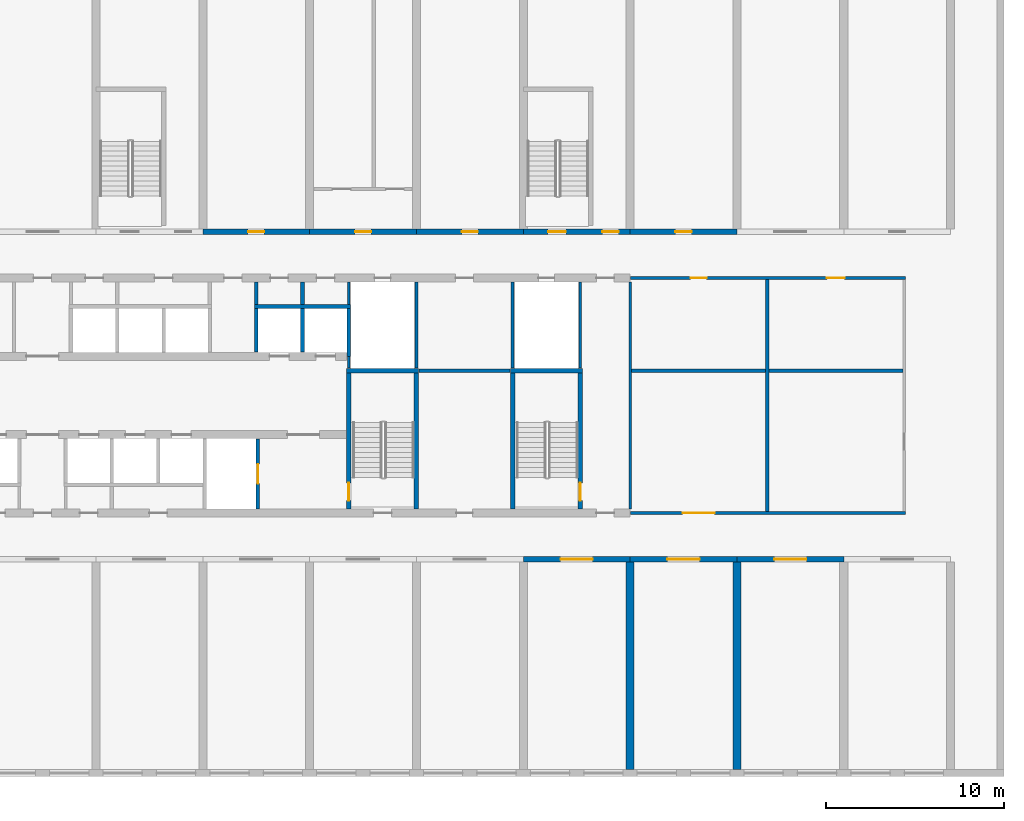
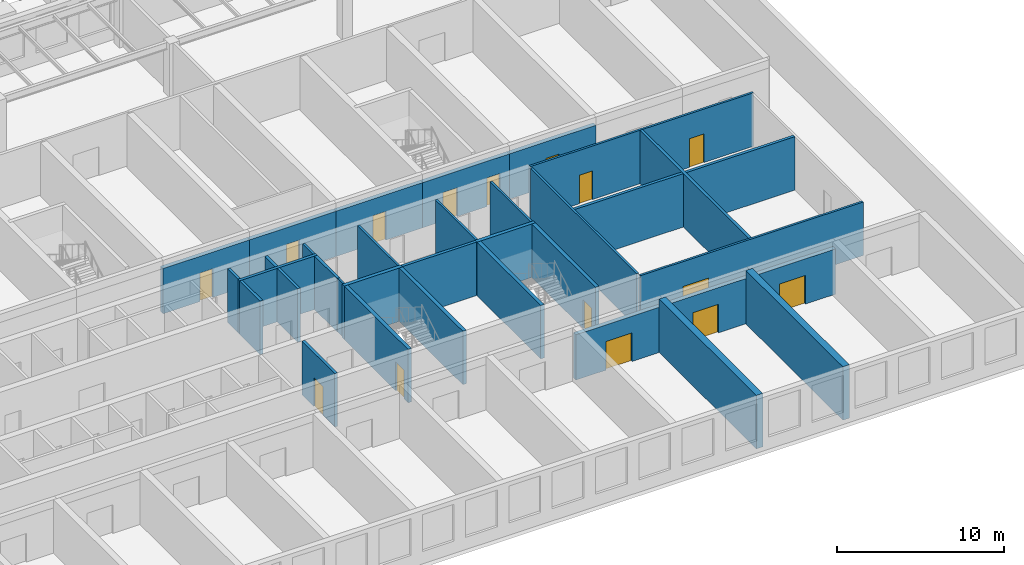
# One storey, part 10 of 16: 34 walls, 15 doors, 15 openings.
"""IFC4 building model written with IfcOpenShell, lengths in metres."""

from ifc_helpers import new_model, si_unit, direction, frame, frame_2d, origin, place, context, subcontext, project, spatial, rectangle, extrude, material, layer, layer_set, type_object, element, fill, save


model = new_model("IFC4")

# Units and contexts
model_context = context("Model", 3, precision=1e-05, world=origin(), true_north=direction((0.0, 1.0)))
body_context = subcontext(model_context, "Body", "Model", "MODEL_VIEW")
ifc_project = project(units=[si_unit("LENGTHUNIT", "METRE"), si_unit("AREAUNIT", "SQUARE_METRE"), si_unit("VOLUMEUNIT", "CUBIC_METRE"), si_unit("PLANEANGLEUNIT", "RADIAN"), si_unit("MASSUNIT", "GRAM", prefix="KILO")], contexts=[model_context])

# Site, building, storey
site_placement = place(None, origin())
site = spatial("IfcSite", under=ifc_project, at=site_placement, CompositionType="ELEMENT")
building_placement = place(site_placement, origin())
building = spatial("IfcBuilding", under=site, at=building_placement, Name="Poui Terraces", CompositionType="ELEMENT")
storey_placement = place(building_placement, frame((0.0, 0.0, 15.0)))
storey = spatial("IfcBuildingStorey", under=building, at=storey_placement, Name="L03", CompositionType="ELEMENT", Elevation=15.0)

# Walls
ifc_material_1 = material(Name="Fire-rated masonry wall", Category="masonry")
ifc_layer_1 = layer(ifc_material_1, 0.199951171875)
ifc_layer_set_1 = layer_set([ifc_layer_1], Name="Fire-rated masonry wall")
wall_type_1 = type_object("IfcWallType", Name="COMPARTMENT WALL 200", PredefinedType="PARTITIONING", material=ifc_layer_set_1)
wall_1_placement = place(storey_placement, frame((72.135009765625, 22.60009765625, 0.0), z_axis=(0.0, 0.0, 1.0), x_axis=(1.0, 0.0, 0.0)))
element("IfcWall", 1, at=wall_1_placement, inside=storey, type_object=wall_type_1, Name="COMPARTMENT WALL 200", PredefinedType="PARTITIONING", context=body_context, shape_type="SweptSolid", body=[
    extrude(rectangle(XDim=5.1298828125, YDim=0.199951171875, at=frame_2d((2.56494140625, 0.0))), origin(), (0.0, 0.0, 1.0), 3.919921875),
])
wall_2_placement = place(storey_placement, frame((84.074951171875, 22.60009765625, 0.0), z_axis=(0.0, 0.0, 1.0), x_axis=(1.0, 0.0, 0.0)))
element("IfcWall", 2, at=wall_2_placement, inside=storey, type_object=wall_type_1, Name="COMPARTMENT WALL 200", PredefinedType="PARTITIONING", context=body_context, shape_type="SweptSolid", body=[
    extrude(rectangle(XDim=15.25, YDim=0.199951171875, at=frame_2d((7.625, 0.0))), origin(), (0.0, 0.0, 1.0), 3.919921875),
])
for number, where, z_axis, x_axis, name in (
    (3, (63.0, 26.300048828125, 0.0), (0.0, 0.0, 1.0), (0.0, 1.0, 0.0), "COMPARTMENT WALL 200"),
    (4, (65.60009765625, 26.300048828125, 0.0), (0.0, 0.0, 1.0), (0.0, 1.0, 0.0), "COMPARTMENT WALL 200"),
):
    element("IfcWall", number, at=place(storey_placement, frame(where, z_axis=z_axis, x_axis=x_axis)), inside=storey, type_object=wall_type_1, Name=name, PredefinedType="PARTITIONING", context=body_context, shape_type="SweptSolid", body=[
        extrude(rectangle(XDim=1.264892578125, YDim=0.199951171875, at=frame_2d((0.63232421875, 0.0))), origin(), (0.0, 0.0, 1.0), 3.919921875),
    ])
wall_3_placement = place(storey_placement, frame((91.699951171875, 14.675048828125, 0.0), z_axis=(0.0, 0.0, 1.0), x_axis=(0.0, 1.0, 0.0)))
element("IfcWall", 5, at=wall_3_placement, inside=storey, type_object=wall_type_1, Name="COMPARTMENT WALL 200", PredefinedType="PARTITIONING", context=body_context, shape_type="SweptSolid", body=[
    extrude(rectangle(XDim=13.050048828125, YDim=0.199951171875, at=frame_2d((6.52490234375, 0.0))), origin(), (0.0, 0.0, 1.0), 3.919921875),
])

# Wall, opening, door
ifc_material_2 = material(Name="Fire-rated plasterboard wall")
ifc_layer_2 = layer(ifc_material_2, 0.14990234375)
ifc_layer_set_2 = layer_set([ifc_layer_2], Name="Fire-rated plasterboard wall")
wall_type_2 = type_object("IfcWallType", Name="CORRIDOR WALL 150", PredefinedType="PARTITIONING", material=ifc_layer_set_2)
wall_4_placement = place(storey_placement, frame((84.010009765625, 14.60009765625, 0.0), z_axis=(0.0, 0.0, 1.0), x_axis=(1.0, 0.0, 0.0)))
wall_4 = element("IfcWall", 6, at=wall_4_placement, inside=storey, type_object=wall_type_2, Name="CORRIDOR WALL 150", PredefinedType="PARTITIONING", context=body_context, shape_type="SweptSolid", body=[
    extrude(rectangle(XDim=15.465087890625, YDim=0.14990234375, at=frame_2d((7.732421875, 0.0))), origin(), (0.0, 0.0, 1.0), 3.919921875),
])
opening_1_placement = place(wall_4_placement, frame((2.93994140625, 0.0, 0.0)))
opening_1 = element("IfcOpeningElement", 7, at=opening_1_placement, cuts=wall_4, Name="Opening DD180", PredefinedType="OPENING", context=body_context, shape_type="SweptSolid", body=[
    extrude(rectangle(XDim=1.800048828125, YDim=2.10009765625, at=frame_2d((0.89990234375, 1.050048828125))), frame((0.0, 0.0849609375, 0.0), z_axis=(0.0, -1.0, 0.0), x_axis=(1.0, 0.0, 0.0)), (0.0, 0.0, 1.0), 0.169921875),
])
ifc_material_3 = material(Name="Steel fire door", Category="steel")
door_type_1 = type_object("IfcDoorType", Name="DOUBLE INTERNAL DOOR 1800 X 2100", OperationType="DOUBLE_DOOR_SINGLE_SWING", PredefinedType="DOOR", material=ifc_material_3)
door_1_placement = place(opening_1_placement, frame((1.800048828125, 0.0, 0.0), z_axis=(0.0, 0.0, 1.0), x_axis=(-1.0, 0.0, 0.0)))
door_1 = element("IfcDoor", 8, at=door_1_placement, inside=storey, type_object=door_type_1, Name="DOUBLE INTERNAL DOOR 070", OperationType="DOUBLE_DOOR_SINGLE_SWING", OverallHeight=2.10009765625, OverallWidth=1.800048828125, PredefinedType="DOOR", context=body_context, shape_type="SweptSolid", body=[
    extrude(rectangle(XDim=1.800048828125, YDim=2.10009765625, at=frame_2d((0.89990234375, 1.050048828125))), frame((0.0, 0.02490234375, 0.0), z_axis=(0.0, -1.0, 0.0), x_axis=(1.0, 0.0, 0.0)), (0.0, 0.0, 1.0), 0.050048828125),
])
fill(opening_1, door_1)

# Wall, openings, doors
wall_5_placement = place(storey_placement, frame((84.010009765625, 27.800048828125, 0.0), z_axis=(0.0, 0.0, 1.0), x_axis=(1.0, 0.0, 0.0)))
wall_5 = element("IfcWall", 9, at=wall_5_placement, inside=storey, type_object=wall_type_2, Name="CORRIDOR WALL 150", PredefinedType="PARTITIONING", context=body_context, shape_type="SweptSolid", body=[
    extrude(rectangle(XDim=15.465087890625, YDim=0.14990234375, at=frame_2d((7.732421875, 0.0))), origin(), (0.0, 0.0, 1.0), 3.919921875),
])
opening_2_placement = place(wall_5_placement, frame((3.389892578125, 0.0, 0.0)))
opening_2 = element("IfcOpeningElement", 10, at=opening_2_placement, cuts=wall_5, Name="Opening D90", PredefinedType="OPENING", context=body_context, shape_type="SweptSolid", body=[
    extrude(rectangle(XDim=0.89990234375, YDim=2.10009765625, at=frame_2d((0.449951171875, 1.050048828125))), frame((0.0, 0.0849609375, 0.0), z_axis=(0.0, -1.0, 0.0), x_axis=(1.0, 0.0, 0.0)), (0.0, 0.0, 1.0), 0.169921875),
])
opening_3_placement = place(wall_5_placement, frame((11.0400390625, 0.0, 0.0)))
opening_3 = element("IfcOpeningElement", 11, at=opening_3_placement, cuts=wall_5, Name="Opening D100", PredefinedType="OPENING", context=body_context, shape_type="SweptSolid", body=[
    extrude(rectangle(XDim=1.0, YDim=2.10009765625, at=frame_2d((0.5, 1.050048828125))), frame((0.0, 0.0849609375, 0.0), z_axis=(0.0, -1.0, 0.0), x_axis=(1.0, 0.0, 0.0)), (0.0, 0.0, 1.0), 0.169921875),
])
ifc_material_4 = material(Name="Solid core timber door", Category="wood")
door_type_2 = type_object("IfcDoorType", Name="ACCESSIBLE INTERNAL DOOR 1000 X 2100", OperationType="NOTDEFINED", PredefinedType="DOOR", material=ifc_material_4)
door_2_placement = place(opening_3_placement, origin())
door_2 = element("IfcDoor", 12, at=door_2_placement, inside=storey, type_object=door_type_2, Name="ACCESSIBLE INTERNAL DOOR 041", OperationType="SINGLE_SWING_RIGHT", OverallHeight=2.10009765625, OverallWidth=1.0, PredefinedType="DOOR", context=body_context, shape_type="SweptSolid", body=[
    extrude(rectangle(XDim=1.0, YDim=2.10009765625, at=frame_2d((0.5, 1.050048828125))), frame((0.0, 0.02490234375, 0.0), z_axis=(0.0, -1.0, 0.0), x_axis=(1.0, 0.0, 0.0)), (0.0, 0.0, 1.0), 0.050048828125),
])
fill(opening_3, door_2)
door_type_3 = type_object("IfcDoorType", Name="INTERNAL DOOR 900 X 2100", OperationType="NOTDEFINED", PredefinedType="DOOR", material=ifc_material_4)
door_3_placement = place(opening_2_placement, origin())
door_3 = element("IfcDoor", 13, at=door_3_placement, inside=storey, type_object=door_type_3, Name="INTERNAL DOOR 039", OperationType="SINGLE_SWING_LEFT", OverallHeight=2.10009765625, OverallWidth=0.89990234375, PredefinedType="DOOR", context=body_context, shape_type="SweptSolid", body=[
    extrude(rectangle(XDim=0.89990234375, YDim=2.10009765625, at=frame_2d((0.449951171875, 1.050048828125))), frame((0.0, 0.02490234375, 0.0), z_axis=(0.0, -1.0, 0.0), x_axis=(1.0, 0.0, 0.0)), (0.0, 0.0, 1.0), 0.050048828125),
])
fill(opening_2, door_3)

# Wall
wall_6_placement = place(storey_placement, frame((84.0, 14.8349609375, 0.0), z_axis=(0.0, 0.0, 1.0), x_axis=(0.0, 1.0, 0.0)))
element("IfcWall", 14, at=wall_6_placement, inside=storey, type_object=wall_type_2, Name="CORRIDOR WALL 150", PredefinedType="PARTITIONING", context=body_context, shape_type="SweptSolid", body=[
    extrude(rectangle(XDim=12.72998046875, YDim=0.14990234375, at=frame_2d((6.364990234375, 0.0))), origin(), (0.0, 0.0, 1.0), 3.919921875),
])

# Wall, opening, door
ifc_material_5 = material(Name="Concrete 80 MPa", Category="concrete")
ifc_layer_3 = layer(ifc_material_5, 0.300048828125)
ifc_layer_set_3 = layer_set([ifc_layer_3], Name="Concrete 80 MPa")
wall_type_3 = type_object("IfcWallType", Name="CORRIDOR WALL 300 80MPa", PredefinedType="SHEAR", material=ifc_layer_set_3)
wall_7_placement = place(storey_placement, frame((78.0, 12.0, 0.0), z_axis=(0.0, 0.0, 1.0), x_axis=(1.0, 0.0, 0.0)))
wall_7 = element("IfcWall", 15, at=wall_7_placement, inside=storey, type_object=wall_type_3, Name="CORRIDOR WALL LINE B BAY 14", PredefinedType="SHEAR", context=body_context, shape_type="SweptSolid", body=[
    extrude(rectangle(XDim=6.0, YDim=0.300048828125, at=frame_2d((3.0, 0.0))), origin(), (0.0, 0.0, 1.0), 3.320068359375),
])
opening_4_placement = place(wall_7_placement, frame((2.10009765625, 0.0, 0.0)))
opening_4 = element("IfcOpeningElement", 16, at=opening_4_placement, cuts=wall_7, Name="Opening DD180", PredefinedType="OPENING", context=body_context, shape_type="SweptSolid", body=[
    extrude(rectangle(XDim=1.800048828125, YDim=2.10009765625, at=frame_2d((0.89990234375, 1.050048828125))), frame((0.0, 0.16015625, 0.0), z_axis=(0.0, -1.0, 0.0), x_axis=(1.0, 0.0, 0.0)), (0.0, 0.0, 1.0), 0.320068359375),
])
door_4_placement = place(opening_4_placement, origin())
door_4 = element("IfcDoor", 17, at=door_4_placement, inside=storey, type_object=door_type_1, Name="DOUBLE INTERNAL DOOR 067", OperationType="DOUBLE_DOOR_SINGLE_SWING", OverallHeight=2.10009765625, OverallWidth=1.800048828125, PredefinedType="DOOR", context=body_context, shape_type="SweptSolid", body=[
    extrude(rectangle(XDim=1.800048828125, YDim=2.10009765625, at=frame_2d((0.89990234375, 1.050048828125))), frame((0.0, 0.02490234375, 0.0), z_axis=(0.0, -1.0, 0.0), x_axis=(1.0, 0.0, 0.0)), (0.0, 0.0, 1.0), 0.050048828125),
])
fill(opening_4, door_4)

wall_8_placement = place(storey_placement, frame((84.0, 12.0, 0.0), z_axis=(0.0, 0.0, 1.0), x_axis=(1.0, 0.0, 0.0)))
wall_8 = element("IfcWall", 18, at=wall_8_placement, inside=storey, type_object=wall_type_3, Name="CORRIDOR WALL LINE B BAY 15", PredefinedType="SHEAR", context=body_context, shape_type="SweptSolid", body=[
    extrude(rectangle(XDim=6.0, YDim=0.300048828125, at=frame_2d((3.0, 0.0))), origin(), (0.0, 0.0, 1.0), 3.320068359375),
])
opening_5_placement = place(wall_8_placement, frame((2.10009765625, 0.0, 0.0)))
opening_5 = element("IfcOpeningElement", 19, at=opening_5_placement, cuts=wall_8, Name="Opening DD180", PredefinedType="OPENING", context=body_context, shape_type="SweptSolid", body=[
    extrude(rectangle(XDim=1.800048828125, YDim=2.10009765625, at=frame_2d((0.89990234375, 1.050048828125))), frame((0.0, 0.16015625, 0.0), z_axis=(0.0, -1.0, 0.0), x_axis=(1.0, 0.0, 0.0)), (0.0, 0.0, 1.0), 0.320068359375),
])
door_5_placement = place(opening_5_placement, origin())
door_5 = element("IfcDoor", 20, at=door_5_placement, inside=storey, type_object=door_type_1, Name="DOUBLE INTERNAL DOOR 069", OperationType="DOUBLE_DOOR_SINGLE_SWING", OverallHeight=2.10009765625, OverallWidth=1.800048828125, PredefinedType="DOOR", context=body_context, shape_type="SweptSolid", body=[
    extrude(rectangle(XDim=1.800048828125, YDim=2.10009765625, at=frame_2d((0.89990234375, 1.050048828125))), frame((0.0, 0.02490234375, 0.0), z_axis=(0.0, -1.0, 0.0), x_axis=(1.0, 0.0, 0.0)), (0.0, 0.0, 1.0), 0.050048828125),
])
fill(opening_5, door_5)

wall_9_placement = place(storey_placement, frame((90.0, 12.0, 0.0), z_axis=(0.0, 0.0, 1.0), x_axis=(1.0, 0.0, 0.0)))
wall_9 = element("IfcWall", 21, at=wall_9_placement, inside=storey, type_object=wall_type_3, Name="CORRIDOR WALL LINE B BAY 16", PredefinedType="SHEAR", context=body_context, shape_type="SweptSolid", body=[
    extrude(rectangle(XDim=6.0, YDim=0.300048828125, at=frame_2d((3.0, 0.0))), origin(), (0.0, 0.0, 1.0), 3.320068359375),
])
opening_6_placement = place(wall_9_placement, frame((2.10009765625, 0.0, 0.0)))
opening_6 = element("IfcOpeningElement", 22, at=opening_6_placement, cuts=wall_9, Name="Opening DD180", PredefinedType="OPENING", context=body_context, shape_type="SweptSolid", body=[
    extrude(rectangle(XDim=1.800048828125, YDim=2.10009765625, at=frame_2d((0.89990234375, 1.050048828125))), frame((0.0, 0.16015625, 0.0), z_axis=(0.0, -1.0, 0.0), x_axis=(1.0, 0.0, 0.0)), (0.0, 0.0, 1.0), 0.320068359375),
])
door_6_placement = place(opening_6_placement, origin())
door_6 = element("IfcDoor", 23, at=door_6_placement, inside=storey, type_object=door_type_1, Name="DOUBLE INTERNAL DOOR 071", OperationType="DOUBLE_DOOR_SINGLE_SWING", OverallHeight=2.10009765625, OverallWidth=1.800048828125, PredefinedType="DOOR", context=body_context, shape_type="SweptSolid", body=[
    extrude(rectangle(XDim=1.800048828125, YDim=2.10009765625, at=frame_2d((0.89990234375, 1.050048828125))), frame((0.0, 0.02490234375, 0.0), z_axis=(0.0, -1.0, 0.0), x_axis=(1.0, 0.0, 0.0)), (0.0, 0.0, 1.0), 0.050048828125),
])
fill(opening_6, door_6)

wall_10_placement = place(storey_placement, frame((60.0, 30.39990234375, 0.0), z_axis=(0.0, 0.0, 1.0), x_axis=(1.0, 0.0, 0.0)))
wall_10 = element("IfcWall", 24, at=wall_10_placement, inside=storey, type_object=wall_type_3, Name="CORRIDOR WALL LINE E BAY 11", PredefinedType="SHEAR", context=body_context, shape_type="SweptSolid", body=[
    extrude(rectangle(XDim=6.0, YDim=0.300048828125, at=frame_2d((3.0, 0.0))), origin(), (0.0, 0.0, 1.0), 3.320068359375),
])
opening_7_placement = place(wall_10_placement, frame((2.550048828125, 0.0, 0.0)))
opening_7 = element("IfcOpeningElement", 25, at=opening_7_placement, cuts=wall_10, Name="Opening D90", PredefinedType="OPENING", context=body_context, shape_type="SweptSolid", body=[
    extrude(rectangle(XDim=0.89990234375, YDim=2.10009765625, at=frame_2d((0.449951171875, 1.050048828125))), frame((0.0, 0.16015625, 0.0), z_axis=(0.0, -1.0, 0.0), x_axis=(1.0, 0.0, 0.0)), (0.0, 0.0, 1.0), 0.320068359375),
])
door_7_placement = place(opening_7_placement, frame((0.89990234375, 0.0, 0.0), z_axis=(0.0, 0.0, 1.0), x_axis=(-1.0, 0.0, 0.0)))
door_7 = element("IfcDoor", 26, at=door_7_placement, inside=storey, type_object=door_type_3, Name="INTERNAL DOOR 027", OperationType="SINGLE_SWING_RIGHT", OverallHeight=2.10009765625, OverallWidth=0.89990234375, PredefinedType="DOOR", context=body_context, shape_type="SweptSolid", body=[
    extrude(rectangle(XDim=0.89990234375, YDim=2.10009765625, at=frame_2d((0.449951171875, 1.050048828125))), frame((0.0, 0.02490234375, 0.0), z_axis=(0.0, -1.0, 0.0), x_axis=(1.0, 0.0, 0.0)), (0.0, 0.0, 1.0), 0.050048828125),
])
fill(opening_7, door_7)

wall_11_placement = place(storey_placement, frame((66.0, 30.39990234375, 0.0), z_axis=(0.0, 0.0, 1.0), x_axis=(1.0, 0.0, 0.0)))
wall_11 = element("IfcWall", 27, at=wall_11_placement, inside=storey, type_object=wall_type_3, Name="CORRIDOR WALL LINE E BAY 12", PredefinedType="SHEAR", context=body_context, shape_type="SweptSolid", body=[
    extrude(rectangle(XDim=6.0, YDim=0.300048828125, at=frame_2d((3.0, 0.0))), origin(), (0.0, 0.0, 1.0), 3.320068359375),
])
opening_8_placement = place(wall_11_placement, frame((2.550048828125, 0.0, 0.0)))
opening_8 = element("IfcOpeningElement", 28, at=opening_8_placement, cuts=wall_11, Name="Opening D90", PredefinedType="OPENING", context=body_context, shape_type="SweptSolid", body=[
    extrude(rectangle(XDim=0.89990234375, YDim=2.10009765625, at=frame_2d((0.449951171875, 1.050048828125))), frame((0.0, 0.16015625, 0.0), z_axis=(0.0, -1.0, 0.0), x_axis=(1.0, 0.0, 0.0)), (0.0, 0.0, 1.0), 0.320068359375),
])
door_8_placement = place(opening_8_placement, frame((0.89990234375, 0.0, 0.0), z_axis=(0.0, 0.0, 1.0), x_axis=(-1.0, 0.0, 0.0)))
door_8 = element("IfcDoor", 29, at=door_8_placement, inside=storey, type_object=door_type_3, Name="INTERNAL DOOR 030", OperationType="SINGLE_SWING_LEFT", OverallHeight=2.10009765625, OverallWidth=0.89990234375, PredefinedType="DOOR", context=body_context, shape_type="SweptSolid", body=[
    extrude(rectangle(XDim=0.89990234375, YDim=2.10009765625, at=frame_2d((0.449951171875, 1.050048828125))), frame((0.0, 0.02490234375, 0.0), z_axis=(0.0, -1.0, 0.0), x_axis=(1.0, 0.0, 0.0)), (0.0, 0.0, 1.0), 0.050048828125),
])
fill(opening_8, door_8)

wall_12_placement = place(storey_placement, frame((72.0, 30.39990234375, 0.0), z_axis=(0.0, 0.0, 1.0), x_axis=(1.0, 0.0, 0.0)))
wall_12 = element("IfcWall", 30, at=wall_12_placement, inside=storey, type_object=wall_type_3, Name="CORRIDOR WALL LINE E BAY 13", PredefinedType="SHEAR", context=body_context, shape_type="SweptSolid", body=[
    extrude(rectangle(XDim=6.0, YDim=0.300048828125, at=frame_2d((3.0, 0.0))), origin(), (0.0, 0.0, 1.0), 3.320068359375),
])
opening_9_placement = place(wall_12_placement, frame((2.550048828125, 0.0, 0.0)))
opening_9 = element("IfcOpeningElement", 31, at=opening_9_placement, cuts=wall_12, Name="Opening D90", PredefinedType="OPENING", context=body_context, shape_type="SweptSolid", body=[
    extrude(rectangle(XDim=0.89990234375, YDim=2.10009765625, at=frame_2d((0.449951171875, 1.050048828125))), frame((0.0, 0.16015625, 0.0), z_axis=(0.0, -1.0, 0.0), x_axis=(1.0, 0.0, 0.0)), (0.0, 0.0, 1.0), 0.320068359375),
])
door_9_placement = place(opening_9_placement, frame((0.89990234375, 0.0, 0.0), z_axis=(0.0, 0.0, 1.0), x_axis=(-1.0, 0.0, 0.0)))
door_9 = element("IfcDoor", 32, at=door_9_placement, inside=storey, type_object=door_type_3, Name="INTERNAL DOOR 033", OperationType="SINGLE_SWING_RIGHT", OverallHeight=2.10009765625, OverallWidth=0.89990234375, PredefinedType="DOOR", context=body_context, shape_type="SweptSolid", body=[
    extrude(rectangle(XDim=0.89990234375, YDim=2.10009765625, at=frame_2d((0.449951171875, 1.050048828125))), frame((0.0, 0.02490234375, 0.0), z_axis=(0.0, -1.0, 0.0), x_axis=(1.0, 0.0, 0.0)), (0.0, 0.0, 1.0), 0.050048828125),
])
fill(opening_9, door_9)

# Wall, openings, doors
wall_13_placement = place(storey_placement, frame((78.0, 30.39990234375, 0.0), z_axis=(0.0, 0.0, 1.0), x_axis=(1.0, 0.0, 0.0)))
wall_13 = element("IfcWall", 33, at=wall_13_placement, inside=storey, type_object=wall_type_3, Name="CORRIDOR WALL LINE E BAY 14", PredefinedType="SHEAR", context=body_context, shape_type="SweptSolid", body=[
    extrude(rectangle(XDim=6.0, YDim=0.300048828125, at=frame_2d((3.0, 0.0))), origin(), (0.0, 0.0, 1.0), 3.320068359375),
])
opening_10_placement = place(wall_13_placement, frame((1.39990234375, 0.0, 0.0)))
opening_10 = element("IfcOpeningElement", 34, at=opening_10_placement, cuts=wall_13, Name="Opening FD60S", PredefinedType="OPENING", context=body_context, shape_type="SweptSolid", body=[
    extrude(rectangle(XDim=1.0, YDim=2.10009765625, at=frame_2d((0.5, 1.050048828125))), frame((0.0, 0.16015625, 0.0), z_axis=(0.0, -1.0, 0.0), x_axis=(1.0, 0.0, 0.0)), (0.0, 0.0, 1.0), 0.320068359375),
])
opening_11_placement = place(wall_13_placement, frame((4.449951171875, 0.0, 0.0)))
opening_11 = element("IfcOpeningElement", 35, at=opening_11_placement, cuts=wall_13, Name="Opening D90", PredefinedType="OPENING", context=body_context, shape_type="SweptSolid", body=[
    extrude(rectangle(XDim=0.89990234375, YDim=2.10009765625, at=frame_2d((0.449951171875, 1.050048828125))), frame((0.0, 0.16015625, 0.0), z_axis=(0.0, -1.0, 0.0), x_axis=(1.0, 0.0, 0.0)), (0.0, 0.0, 1.0), 0.320068359375),
])
door_10_placement = place(opening_11_placement, frame((0.89990234375, 0.0, 0.0), z_axis=(0.0, 0.0, 1.0), x_axis=(-1.0, 0.0, 0.0)))
door_10 = element("IfcDoor", 36, at=door_10_placement, inside=storey, type_object=door_type_3, Name="INTERNAL DOOR 037", OperationType="SINGLE_SWING_RIGHT", OverallHeight=2.10009765625, OverallWidth=0.89990234375, PredefinedType="DOOR", context=body_context, shape_type="SweptSolid", body=[
    extrude(rectangle(XDim=0.89990234375, YDim=2.10009765625, at=frame_2d((0.449951171875, 1.050048828125))), frame((0.0, 0.02490234375, 0.0), z_axis=(0.0, -1.0, 0.0), x_axis=(1.0, 0.0, 0.0)), (0.0, 0.0, 1.0), 0.050048828125),
])
fill(opening_11, door_10)
door_type_4 = type_object("IfcDoorType", Name="STAIR DOOR 1000 X 2100", OperationType="NOTDEFINED", PredefinedType="DOOR", material=ifc_material_3)
door_11_placement = place(opening_10_placement, origin())
door_11 = element("IfcDoor", 37, at=door_11_placement, inside=storey, type_object=door_type_4, Name="STAIR DOOR 035", OperationType="SINGLE_SWING_RIGHT", OverallHeight=2.10009765625, OverallWidth=1.0, PredefinedType="DOOR", context=body_context, shape_type="SweptSolid", body=[
    extrude(rectangle(XDim=1.0, YDim=2.10009765625, at=frame_2d((0.5, 1.050048828125))), frame((0.0, 0.02490234375, 0.0), z_axis=(0.0, -1.0, 0.0), x_axis=(1.0, 0.0, 0.0)), (0.0, 0.0, 1.0), 0.050048828125),
])
fill(opening_10, door_11)

# Wall, opening, door
wall_14_placement = place(storey_placement, frame((84.0, 30.39990234375, 0.0), z_axis=(0.0, 0.0, 1.0), x_axis=(1.0, 0.0, 0.0)))
wall_14 = element("IfcWall", 38, at=wall_14_placement, inside=storey, type_object=wall_type_3, Name="CORRIDOR WALL LINE E BAY 15", PredefinedType="SHEAR", context=body_context, shape_type="SweptSolid", body=[
    extrude(rectangle(XDim=6.0, YDim=0.300048828125, at=frame_2d((3.0, 0.0))), origin(), (0.0, 0.0, 1.0), 3.320068359375),
])
opening_12_placement = place(wall_14_placement, frame((2.550048828125, 0.0, 0.0)))
opening_12 = element("IfcOpeningElement", 39, at=opening_12_placement, cuts=wall_14, Name="Opening D90", PredefinedType="OPENING", context=body_context, shape_type="SweptSolid", body=[
    extrude(rectangle(XDim=0.89990234375, YDim=2.10009765625, at=frame_2d((0.449951171875, 1.050048828125))), frame((0.0, 0.16015625, 0.0), z_axis=(0.0, -1.0, 0.0), x_axis=(1.0, 0.0, 0.0)), (0.0, 0.0, 1.0), 0.320068359375),
])
door_12_placement = place(opening_12_placement, frame((0.89990234375, 0.0, 0.0), z_axis=(0.0, 0.0, 1.0), x_axis=(-1.0, 0.0, 0.0)))
door_12 = element("IfcDoor", 40, at=door_12_placement, inside=storey, type_object=door_type_3, Name="INTERNAL DOOR 038", OperationType="SINGLE_SWING_LEFT", OverallHeight=2.10009765625, OverallWidth=0.89990234375, PredefinedType="DOOR", context=body_context, shape_type="SweptSolid", body=[
    extrude(rectangle(XDim=0.89990234375, YDim=2.10009765625, at=frame_2d((0.449951171875, 1.050048828125))), frame((0.0, 0.02490234375, 0.0), z_axis=(0.0, -1.0, 0.0), x_axis=(1.0, 0.0, 0.0)), (0.0, 0.0, 1.0), 0.050048828125),
])
fill(opening_12, door_12)

# Walls
ifc_layer_4 = layer(ifc_material_5, 0.449951171875)
ifc_layer_set_4 = layer_set([ifc_layer_4], Name="Concrete 80 MPa")
wall_type_4 = type_object("IfcWallType", Name="CROSS WALL 450 80MPa", PredefinedType="SHEAR", material=ifc_layer_set_4)
for number, where, z_axis, x_axis, name in (
    (41, (84.0, 0.199951171875, 0.0), (0.0, 0.0, 1.0), (0.0, 1.0, 0.0), "CROSS WALL LINE 15 SOUTH"),
    (42, (90.0, 0.199951171875, 0.0), (0.0, 0.0, 1.0), (0.0, 1.0, 0.0), "CROSS WALL LINE 16 SOUTH"),
):
    element("IfcWall", number, at=place(storey_placement, frame(where, z_axis=z_axis, x_axis=x_axis)), inside=storey, type_object=wall_type_4, Name=name, PredefinedType="SHEAR", context=body_context, shape_type="SweptSolid", body=[
        extrude(rectangle(XDim=11.650146484375, YDim=0.449951171875, at=frame_2d((5.8251953125, 0.0))), origin(), (0.0, 0.0, 1.0), 3.919921875),
    ])
ifc_material_6 = material(Name="Fire-rated plasterboard riser wall")
ifc_layer_5 = layer(ifc_material_6, 0.14990234375)
ifc_layer_set_5 = layer_set([ifc_layer_5], Name="Fire-rated plasterboard riser wall")
wall_type_5 = type_object("IfcWallType", Name="RISER WALL 150", PredefinedType="PARTITIONING", material=ifc_layer_set_5)
wall_15_placement = place(storey_placement, frame((68.199951171875, 22.735107421875, 0.0), z_axis=(0.0, 0.0, 1.0), x_axis=(0.0, 1.0, 0.0)))
element("IfcWall", 43, at=wall_15_placement, inside=storey, type_object=wall_type_5, Name="RISER WALL 150", PredefinedType="PARTITIONING", context=body_context, shape_type="SweptSolid", body=[
    extrude(rectangle(XDim=0.664794921875, YDim=0.14990234375, at=frame_2d((0.33251953125, 0.0))), origin(), (0.0, 0.0, 1.0), 3.919921875),
])
wall_16_placement = place(storey_placement, frame((68.199951171875, 26.300048828125, 0.0), z_axis=(0.0, 0.0, 1.0), x_axis=(0.0, 1.0, 0.0)))
element("IfcWall", 44, at=wall_16_placement, inside=storey, type_object=wall_type_5, Name="RISER WALL 150", PredefinedType="PARTITIONING", context=body_context, shape_type="SweptSolid", body=[
    extrude(rectangle(XDim=1.264892578125, YDim=0.14990234375, at=frame_2d((0.63232421875, 0.0))), origin(), (0.0, 0.0, 1.0), 3.919921875),
])
for number, where, z_axis, x_axis, name in (
    (45, (72.0, 22.735107421875, 0.0), (0.0, 0.0, 1.0), (0.0, 1.0, 0.0), "RISER WALL 150"),
    (46, (77.39990234375, 22.735107421875, 0.0), (0.0, 0.0, 1.0), (0.0, 1.0, 0.0), "RISER WALL 150"),
    (47, (81.199951171875, 22.735107421875, 0.0), (0.0, 0.0, 1.0), (0.0, 1.0, 0.0), "RISER WALL 150"),
):
    element("IfcWall", number, at=place(storey_placement, frame(where, z_axis=z_axis, x_axis=x_axis)), inside=storey, type_object=wall_type_5, Name=name, PredefinedType="PARTITIONING", context=body_context, shape_type="SweptSolid", body=[
        extrude(rectangle(XDim=4.829833984375, YDim=0.14990234375, at=frame_2d((2.4150390625, 0.0))), origin(), (0.0, 0.0, 1.0), 3.919921875),
    ])
ifc_material_7 = material(Name="Fire-rated masonry shaft wall", Category="masonry")
ifc_layer_6 = layer(ifc_material_7, 0.199951171875)
ifc_layer_set_6 = layer_set([ifc_layer_6], Name="Fire-rated masonry shaft wall")
wall_type_6 = type_object("IfcWallType", Name="SHAFT WALL 200", PredefinedType="PARTITIONING", material=ifc_layer_set_6)
wall_17_placement = place(storey_placement, frame((62.89990234375, 26.199951171875, 0.0), z_axis=(0.0, 0.0, 1.0), x_axis=(1.0, 0.0, 0.0)))
element("IfcWall", 48, at=wall_17_placement, inside=storey, type_object=wall_type_6, Name="SHAFT WALL 200", PredefinedType="PARTITIONING", context=body_context, shape_type="SweptSolid", body=[
    extrude(rectangle(XDim=5.400146484375, YDim=0.199951171875, at=frame_2d((2.7001953125, 0.0))), origin(), (0.0, 0.0, 1.0), 3.919921875),
])
wall_18_placement = place(storey_placement, frame((63.0, 23.635009765625, 0.0), z_axis=(0.0, 0.0, 1.0), x_axis=(0.0, 1.0, 0.0)))
element("IfcWall", 49, at=wall_18_placement, inside=storey, type_object=wall_type_6, Name="SHAFT WALL 200", PredefinedType="PARTITIONING", context=body_context, shape_type="SweptSolid", body=[
    extrude(rectangle(XDim=2.465087890625, YDim=0.199951171875, at=frame_2d((1.232421875, 0.0))), origin(), (0.0, 0.0, 1.0), 3.919921875),
])

# Wall, opening, door
wall_19_placement = place(storey_placement, frame((63.10009765625, 14.8349609375, 0.0), z_axis=(0.0, 0.0, 1.0), x_axis=(0.0, 1.0, 0.0)))
wall_19 = element("IfcWall", 50, at=wall_19_placement, inside=storey, type_object=wall_type_6, Name="SHAFT WALL 200", PredefinedType="PARTITIONING", context=body_context, shape_type="SweptSolid", body=[
    extrude(rectangle(XDim=3.929931640625, YDim=0.199951171875, at=frame_2d((1.96484375, 0.0))), origin(), (0.0, 0.0, 1.0), 3.919921875),
])
opening_13_placement = place(wall_19_placement, frame((1.4150390625, 0.0, 0.0)))
opening_13 = element("IfcOpeningElement", 51, at=opening_13_placement, cuts=wall_19, Name="Opening LD", PredefinedType="OPENING", context=body_context, shape_type="SweptSolid", body=[
    extrude(rectangle(XDim=1.10009765625, YDim=2.10009765625, at=frame_2d((0.550048828125, 1.050048828125))), frame((0.0, 0.10986328125, 0.0), z_axis=(0.0, -1.0, 0.0), x_axis=(1.0, 0.0, 0.0)), (0.0, 0.0, 1.0), 0.219970703125),
])
ifc_material_8 = material(Name="Stainless steel sliding door", Category="steel")
door_type_5 = type_object("IfcDoorType", Name="LIFT LANDING DOOR 1100 X 2100", OperationType="DOUBLE_DOOR_SLIDING", PredefinedType="DOOR", material=ifc_material_8)
door_13_placement = place(opening_13_placement, origin())
door_13 = element("IfcDoor", 52, at=door_13_placement, inside=storey, type_object=door_type_5, Name="LANDING DOOR", OperationType="DOUBLE_DOOR_SLIDING", OverallHeight=2.10009765625, OverallWidth=1.10009765625, PredefinedType="DOOR", context=body_context, shape_type="SweptSolid", body=[
    extrude(rectangle(XDim=1.10009765625, YDim=2.10009765625, at=frame_2d((0.550048828125, 1.050048828125))), frame((0.0, 0.02490234375, 0.0), z_axis=(0.0, -1.0, 0.0), x_axis=(1.0, 0.0, 0.0)), (0.0, 0.0, 1.0), 0.050048828125),
])
fill(opening_13, door_13)

# Walls
wall_20_placement = place(storey_placement, frame((65.60009765625, 23.635009765625, 0.0), z_axis=(0.0, 0.0, 1.0), x_axis=(0.0, 1.0, 0.0)))
element("IfcWall", 53, at=wall_20_placement, inside=storey, type_object=wall_type_6, Name="SHAFT WALL 200", PredefinedType="PARTITIONING", context=body_context, shape_type="SweptSolid", body=[
    extrude(rectangle(XDim=2.465087890625, YDim=0.199951171875, at=frame_2d((1.232421875, 0.0))), origin(), (0.0, 0.0, 1.0), 3.919921875),
])
wall_21_placement = place(storey_placement, frame((68.199951171875, 23.39990234375, 0.0), z_axis=(0.0, 0.0, 1.0), x_axis=(0.0, 1.0, 0.0)))
element("IfcWall", 54, at=wall_21_placement, inside=storey, type_object=wall_type_6, Name="SHAFT WALL 200", PredefinedType="PARTITIONING", context=body_context, shape_type="SweptSolid", body=[
    extrude(rectangle(XDim=2.7001953125, YDim=0.199951171875, at=frame_2d((1.35009765625, 0.0))), origin(), (0.0, 0.0, 1.0), 3.919921875),
])

# Wall, opening, door
ifc_layer_7 = layer(ifc_material_5, 0.25)
ifc_layer_set_7 = layer_set([ifc_layer_7], Name="Concrete 80 MPa")
wall_type_7 = type_object("IfcWallType", Name="STAIR CORE WALL 250 80 MPA", PredefinedType="SOLIDWALL", material=ifc_layer_set_7)
wall_22_placement = place(storey_placement, frame((68.199951171875, 14.824951171875, 0.0), z_axis=(0.0, 0.0, 1.0), x_axis=(0.0, 1.0, 0.0)))
wall_22 = element("IfcWall", 55, at=wall_22_placement, inside=storey, type_object=wall_type_7, Name="STAIR CORE WALL", PredefinedType="SOLIDWALL", context=body_context, shape_type="SweptSolid", body=[
    extrude(rectangle(XDim=7.650146484375, YDim=0.25, at=frame_2d((3.8251953125, 0.0))), origin(), (0.0, 0.0, 1.0), 3.919921875),
])
opening_14_placement = place(wall_22_placement, frame((0.47509765625, 0.0, 0.0)))
opening_14 = element("IfcOpeningElement", 56, at=opening_14_placement, cuts=wall_22, Name="Opening FD60S", PredefinedType="OPENING", context=body_context, shape_type="SweptSolid", body=[
    extrude(rectangle(XDim=1.0, YDim=2.10009765625, at=frame_2d((0.5, 1.050048828125))), frame((0.0, 0.135009765625, 0.0), z_axis=(0.0, -1.0, 0.0), x_axis=(1.0, 0.0, 0.0)), (0.0, 0.0, 1.0), 0.27001953125),
])
door_14_placement = place(opening_14_placement, frame((1.0, 0.0, 0.0), z_axis=(0.0, 0.0, 1.0), x_axis=(-1.0, 0.0, 0.0)))
door_14 = element("IfcDoor", 57, at=door_14_placement, inside=storey, type_object=door_type_4, Name="STAIR DOOR 086", OperationType="SINGLE_SWING_LEFT", OverallHeight=2.10009765625, OverallWidth=1.0, PredefinedType="DOOR", context=body_context, shape_type="SweptSolid", body=[
    extrude(rectangle(XDim=1.0, YDim=2.10009765625, at=frame_2d((0.5, 1.050048828125))), frame((0.0, 0.02490234375, 0.0), z_axis=(0.0, -1.0, 0.0), x_axis=(1.0, 0.0, 0.0)), (0.0, 0.0, 1.0), 0.050048828125),
])
fill(opening_14, door_14)

# Walls
wall_23_placement = place(storey_placement, frame((72.0, 14.824951171875, 0.0), z_axis=(0.0, 0.0, 1.0), x_axis=(0.0, 1.0, 0.0)))
element("IfcWall", 58, at=wall_23_placement, inside=storey, type_object=wall_type_7, Name="STAIR CORE WALL", PredefinedType="SOLIDWALL", context=body_context, shape_type="SweptSolid", body=[
    extrude(rectangle(XDim=7.650146484375, YDim=0.25, at=frame_2d((3.8251953125, 0.0))), origin(), (0.0, 0.0, 1.0), 3.919921875),
])
wall_24_placement = place(storey_placement, frame((68.074951171875, 22.60009765625, 0.0), z_axis=(0.0, 0.0, 1.0), x_axis=(1.0, 0.0, 0.0)))
element("IfcWall", 59, at=wall_24_placement, inside=storey, type_object=wall_type_7, Name="STAIR CORE WALL", PredefinedType="SOLIDWALL", context=body_context, shape_type="SweptSolid", body=[
    extrude(rectangle(XDim=4.050048828125, YDim=0.25, at=frame_2d((2.02490234375, 0.0))), origin(), (0.0, 0.0, 1.0), 3.919921875),
])
wall_25_placement = place(storey_placement, frame((77.39990234375, 14.824951171875, 0.0), z_axis=(0.0, 0.0, 1.0), x_axis=(0.0, 1.0, 0.0)))
element("IfcWall", 60, at=wall_25_placement, inside=storey, type_object=wall_type_7, Name="STAIR CORE WALL", PredefinedType="SOLIDWALL", context=body_context, shape_type="SweptSolid", body=[
    extrude(rectangle(XDim=7.650146484375, YDim=0.25, at=frame_2d((3.8251953125, 0.0))), origin(), (0.0, 0.0, 1.0), 3.919921875),
])

# Wall, opening, door
wall_26_placement = place(storey_placement, frame((81.199951171875, 14.824951171875, 0.0), z_axis=(0.0, 0.0, 1.0), x_axis=(0.0, 1.0, 0.0)))
wall_26 = element("IfcWall", 61, at=wall_26_placement, inside=storey, type_object=wall_type_7, Name="STAIR CORE WALL", PredefinedType="SOLIDWALL", context=body_context, shape_type="SweptSolid", body=[
    extrude(rectangle(XDim=7.650146484375, YDim=0.25, at=frame_2d((3.8251953125, 0.0))), origin(), (0.0, 0.0, 1.0), 3.919921875),
])
opening_15_placement = place(wall_26_placement, frame((0.47509765625, 0.0, 0.0)))
opening_15 = element("IfcOpeningElement", 62, at=opening_15_placement, cuts=wall_26, Name="Opening FD60S", PredefinedType="OPENING", context=body_context, shape_type="SweptSolid", body=[
    extrude(rectangle(XDim=1.0, YDim=2.10009765625, at=frame_2d((0.5, 1.050048828125))), frame((0.0, 0.135009765625, 0.0), z_axis=(0.0, -1.0, 0.0), x_axis=(1.0, 0.0, 0.0)), (0.0, 0.0, 1.0), 0.27001953125),
])
door_15_placement = place(opening_15_placement, origin())
door_15 = element("IfcDoor", 63, at=door_15_placement, inside=storey, type_object=door_type_4, Name="STAIR DOOR 102", OperationType="SINGLE_SWING_LEFT", OverallHeight=2.10009765625, OverallWidth=1.0, PredefinedType="DOOR", context=body_context, shape_type="SweptSolid", body=[
    extrude(rectangle(XDim=1.0, YDim=2.10009765625, at=frame_2d((0.5, 1.050048828125))), frame((0.0, 0.02490234375, 0.0), z_axis=(0.0, -1.0, 0.0), x_axis=(1.0, 0.0, 0.0)), (0.0, 0.0, 1.0), 0.050048828125),
])
fill(opening_15, door_15)

# Wall
wall_27_placement = place(storey_placement, frame((77.27490234375, 22.60009765625, 0.0), z_axis=(0.0, 0.0, 1.0), x_axis=(1.0, 0.0, 0.0)))
element("IfcWall", 64, at=wall_27_placement, inside=storey, type_object=wall_type_7, Name="STAIR CORE WALL", PredefinedType="SOLIDWALL", context=body_context, shape_type="SweptSolid", body=[
    extrude(rectangle(XDim=4.050048828125, YDim=0.25, at=frame_2d((2.02490234375, 0.0))), origin(), (0.0, 0.0, 1.0), 3.919921875),
])

save(model, "model.ifc")
